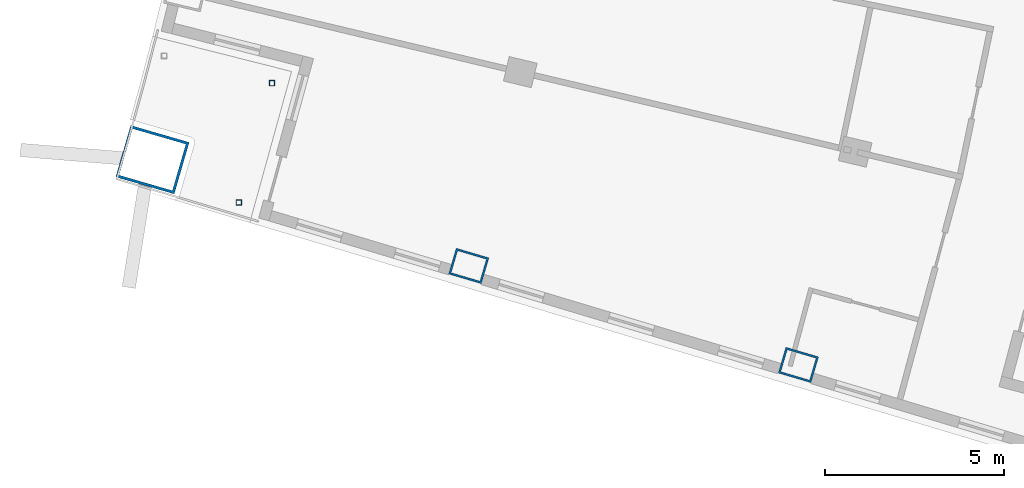
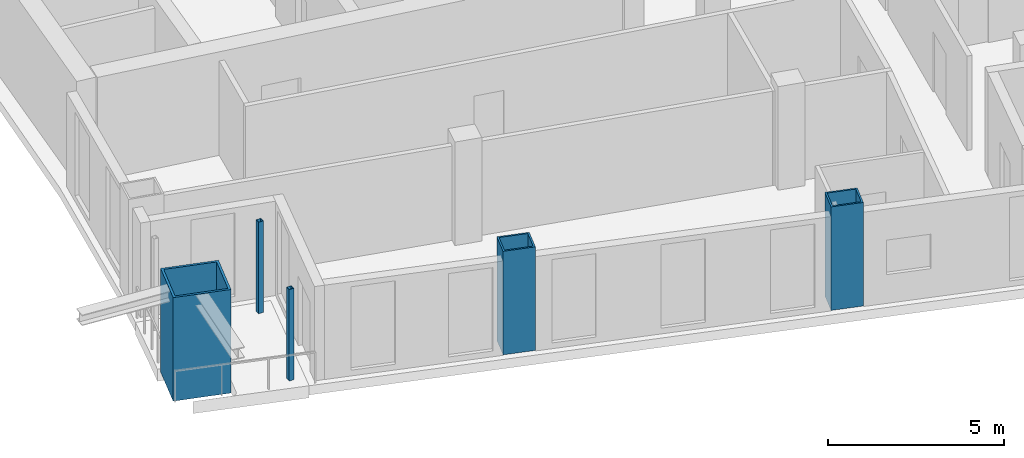
# One storey, part 1 of 19: 5 columns.
"""IFC4 building model written with IfcOpenShell, lengths in metres."""

from ifc_helpers import new_model, si_unit, direction, frame, origin, origin_2d, place, context, subcontext, project, spatial, hollow_rectangle, extrude, material, material_profile, profile_set, type_object, element, save


model = new_model("IFC4")

# Units and contexts
model_context = context("Model", 3, precision=1e-05, world=origin(), true_north=direction((0.0, 1.0)))
body_context = subcontext(model_context, "Body", "Model", "MODEL_VIEW")
ifc_project = project(units=[si_unit("LENGTHUNIT", "METRE"), si_unit("AREAUNIT", "SQUARE_METRE"), si_unit("VOLUMEUNIT", "CUBIC_METRE"), si_unit("PLANEANGLEUNIT", "RADIAN"), si_unit("MASSUNIT", "GRAM", prefix="KILO")], contexts=[model_context])

# Site, building, storey
site_placement = place(None, origin())
site = spatial("IfcSite", under=ifc_project, at=site_placement, CompositionType="ELEMENT")
building_placement = place(site_placement, origin())
building = spatial("IfcBuilding", under=site, at=building_placement, Name="Alderwake Tower", CompositionType="ELEMENT")
storey_placement = place(building_placement, frame((0.0, 0.0, 228.800048828125)))
storey = spatial("IfcBuildingStorey", under=building, at=storey_placement, Name="L57", CompositionType="ELEMENT", Elevation=228.800048828125)

# Columns
ifc_material_1 = material(Name="Steel ASTM A572 Grade 50 concrete filled C70/85", Category="concrete")
ifc_material_profile_1 = material_profile(ifc_material_1, hollow_rectangle(XDim=0.75, YDim=0.949951171875, WallThickness=0.054931640625, at=origin_2d()), Name="BOX 950X750X55")
ifc_profile_set_1 = profile_set([ifc_material_profile_1], Name="Steel ASTM A572 Grade 50 concrete filled C70/85")
column_type_1 = type_object("IfcColumnType", Name="End column Z4", PredefinedType="COLUMN", material=ifc_profile_set_1)
for number, where, z_axis, x_axis, name in (
    (1, (21.885498046875, 31.03759765625, 0.0), (0.0, 0.0, 1.0), (0.282132160283, 0.95937554906, 0.0), "Column R02-C1"),
    (2, (31.080322265625, 28.27685546875, 0.0), (0.0, 0.0, 1.0), (0.282582549822, 0.959242984095, 0.0), "Column R02-C2"),
):
    element("IfcColumn", number, at=place(storey_placement, frame(where, z_axis=z_axis, x_axis=x_axis)), inside=storey, type_object=column_type_1, Name=name, PredefinedType="COLUMN", context=body_context, shape_type="SweptSolid", body=[
        extrude(hollow_rectangle(XDim=0.75, YDim=0.949951171875, WallThickness=0.054931640625, at=origin_2d()), origin(), (0.0, 0.0, 1.0), 3.599853515625),
    ])
ifc_material_2 = material(Name="Steel ASTM A500 Grade C", Category="steel")
ifc_material_profile_2 = material_profile(ifc_material_2, hollow_rectangle(XDim=0.15234375, YDim=0.15234375, WallThickness=0.0087890625, at=origin_2d()), Name="HSS6X6X3/8")
ifc_profile_set_2 = profile_set([ifc_material_profile_2], Name="Steel ASTM A500 Grade C")
column_type_2 = type_object("IfcColumnType", Name="Light post HSS6X6X3/8", PredefinedType="COLUMN", material=ifc_profile_set_2)
for number, where, z_axis, x_axis, name in (
    (3, (15.47412109375, 32.805908203125, 0.0), (0.0, 0.0, 1.0), (1.0, 0.0, 0.0), "Terrace post RS2"),
    (4, (16.39501953125, 36.135986328125, 0.0), (0.0, 0.0, 1.0), (1.0, 0.0, 0.0), "Terrace post RS3"),
):
    element("IfcColumn", number, at=place(storey_placement, frame(where, z_axis=z_axis, x_axis=x_axis)), inside=storey, type_object=column_type_2, Name=name, PredefinedType="COLUMN", context=body_context, shape_type="SweptSolid", body=[
        extrude(hollow_rectangle(XDim=0.15234375, YDim=0.15234375, WallThickness=0.0087890625, at=origin_2d()), origin(), (0.0, 0.0, 1.0), 3.179931640625),
    ])
ifc_material_3 = material(Name="Steel ASTM A572 Grade 50 concrete filled C70/85", Category="concrete")
ifc_material_profile_3 = material_profile(ifc_material_3, hollow_rectangle(XDim=1.5, YDim=1.699951171875, WallThickness=0.074951171875, at=origin_2d()), Name="BOX 1700X1500X75")
ifc_profile_set_3 = profile_set([ifc_material_profile_3], Name="Steel ASTM A572 Grade 50 concrete filled C70/85")
column_type_3 = type_object("IfcColumnType", Name="Mega column Z4", PredefinedType="COLUMN", material=ifc_profile_set_3)
column_placement = place(storey_placement, frame((13.06298828125, 34.00244140625, 0.0), z_axis=(0.0, 0.0, 1.0), x_axis=(0.278612301868, 0.960403657452, 0.0)))
element("IfcColumn", 5, at=column_placement, inside=storey, type_object=column_type_3, Name="Column R02-C0", PredefinedType="COLUMN", context=body_context, shape_type="SweptSolid", body=[
    extrude(hollow_rectangle(XDim=1.5, YDim=1.699951171875, WallThickness=0.074951171875, at=origin_2d()), origin(), (0.0, 0.0, 1.0), 3.599853515625),
])

save(model, "model.ifc")
